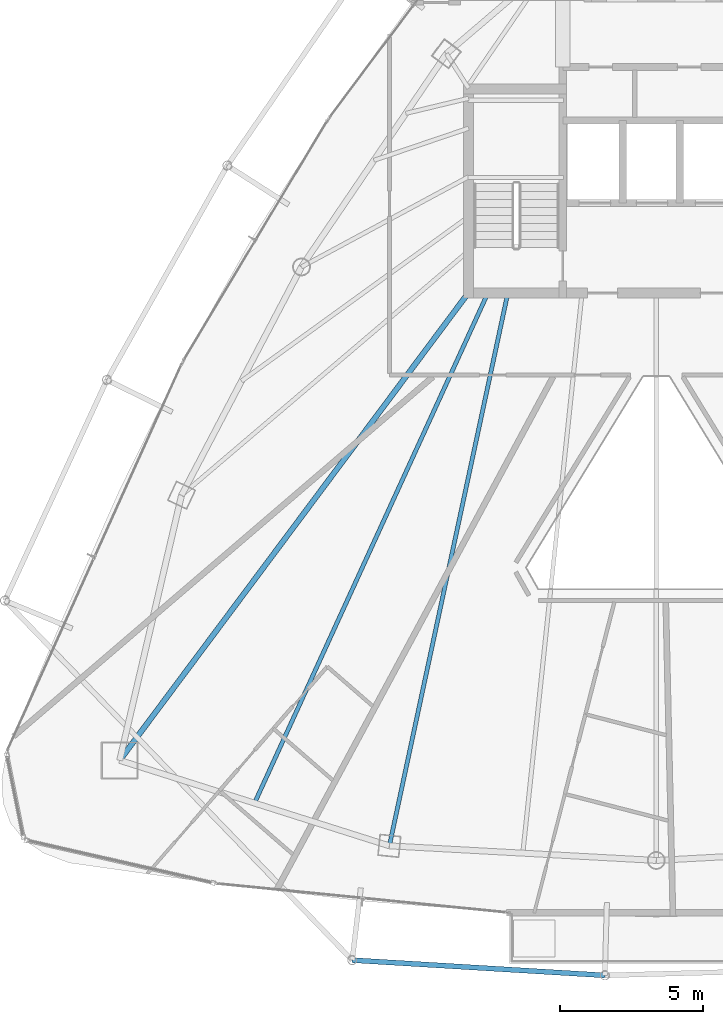
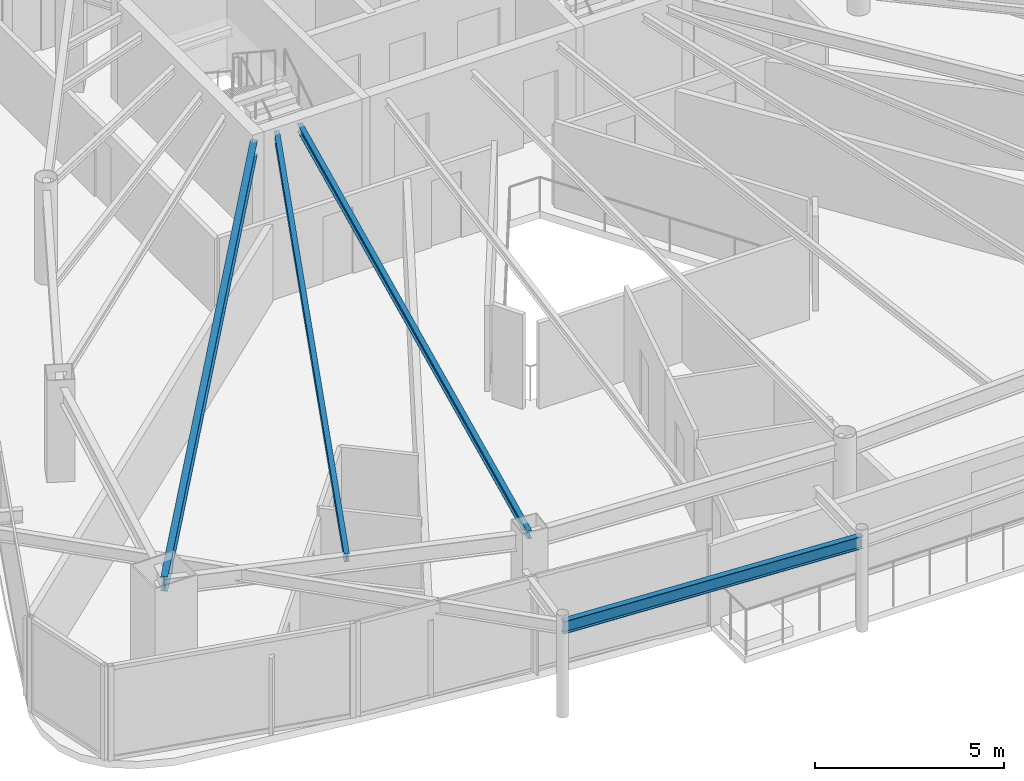
# One storey, part 6 of 30: 4 beams.
"""IFC4 building model written with IfcOpenShell, lengths in metres."""

from ifc_helpers import new_model, si_unit, direction, frame, origin, origin_2d, place, context, subcontext, project, spatial, i_section, extrude, material, material_profile, profile_set, type_object, element, save


model = new_model("IFC4")

# Units and contexts
model_context = context("Model", 3, precision=1e-05, world=origin(), true_north=direction((0.0, 1.0)))
body_context = subcontext(model_context, "Body", "Model", "MODEL_VIEW")
ifc_project = project(units=[si_unit("LENGTHUNIT", "METRE"), si_unit("AREAUNIT", "SQUARE_METRE"), si_unit("VOLUMEUNIT", "CUBIC_METRE"), si_unit("PLANEANGLEUNIT", "RADIAN"), si_unit("MASSUNIT", "GRAM", prefix="KILO")], contexts=[model_context])

# Site, building, storey
site_placement = place(None, origin())
site = spatial("IfcSite", under=ifc_project, at=site_placement, CompositionType="ELEMENT")
building_placement = place(site_placement, origin())
building = spatial("IfcBuilding", under=site, at=building_placement, Name="Orvanel Arch Residences", CompositionType="ELEMENT")
storey_placement = place(building_placement, frame((0.0, 0.0, 229.39990234375)))
storey = spatial("IfcBuildingStorey", under=building, at=storey_placement, Name="L65", CompositionType="ELEMENT", Elevation=229.39990234375)

# Beams
ifc_material = material(Name="Structural steel AS/NZS 3679.1 Grade 300 (300 MPa)", Category="steel")
ifc_material_profile_1 = material_profile(ifc_material, i_section(OverallWidth=0.19091796875, OverallDepth=0.4599609375, WebThickness=0.010009765625, FlangeThickness=0.01611328125, at=origin_2d()), Name="460UB82.1")
ifc_profile_set_1 = profile_set([ifc_material_profile_1], Name="Structural steel AS/NZS 3679.1 Grade 300 (300 MPa)")
beam_type_1 = type_object("IfcBeamType", Name="BG-460UB", PredefinedType="BEAM", material=ifc_profile_set_1)
beam_1_placement = place(storey_placement, frame((26.375, 26.675048828125, 2.830078125), z_axis=(-0.597893733742, -0.801575375839, 0.0), x_axis=(0.801575375839, -0.597893733742, 0.0)))
element("IfcBeam", 1, at=beam_1_placement, inside=storey, type_object=beam_type_1, Name="L65 South-West Radial Girder", PredefinedType="BEAM", context=body_context, shape_type="SweptSolid", body=[
    extrude(i_section(OverallWidth=0.19091796875, OverallDepth=0.4599609375, WebThickness=0.010009765625, FlangeThickness=0.01611328125, at=origin_2d()), origin(), (0.0, 0.0, 1.0), 20.36474609375),
])
ifc_material_profile_2 = material_profile(ifc_material, i_section(OverallWidth=0.14599609375, OverallDepth=0.251953125, WebThickness=0.006103515625, FlangeThickness=0.008544921875, at=origin_2d()), Name="250UB31.4")
ifc_profile_set_2 = profile_set([ifc_material_profile_2], Name="Structural steel AS/NZS 3679.1 Grade 300 (300 MPa)")
beam_type_2 = type_object("IfcBeamType", Name="BJ-250UB", PredefinedType="JOIST", material=ifc_profile_set_2)
beam_2_placement = place(storey_placement, frame((27.800048828125, 26.72509765625, 2.93408203125), z_axis=(-0.209547604985, -0.977798446125, 0.0), x_axis=(0.977798446125, -0.209547604985, 0.0)))
element("IfcBeam", 2, at=beam_2_placement, inside=storey, type_object=beam_type_2, Name="L65 SW Wing Floor Joist", PredefinedType="JOIST", context=body_context, shape_type="SweptSolid", body=[
    extrude(i_section(OverallWidth=0.14599609375, OverallDepth=0.251953125, WebThickness=0.006103515625, FlangeThickness=0.008544921875, at=origin_2d()), origin(), (0.0, 0.0, 1.0), 19.809814453125),
])
beam_3_placement = place(storey_placement, frame((27.10009765625, 26.72509765625, 2.93408203125), z_axis=(-0.416009574066, -0.909360233508, 0.0), x_axis=(0.909360233508, -0.416009574066, 0.0)))
element("IfcBeam", 3, at=beam_3_placement, inside=storey, type_object=beam_type_2, Name="L65 JADD1 Wing Floor Joist", PredefinedType="JOIST", context=body_context, shape_type="SweptSolid", body=[
    extrude(i_section(OverallWidth=0.14599609375, OverallDepth=0.251953125, WebThickness=0.006103515625, FlangeThickness=0.008544921875, at=origin_2d()), origin(), (0.0, 0.0, 1.0), 19.653564453125),
])
ifc_material_profile_3 = material_profile(ifc_material, i_section(OverallWidth=0.177978515625, OverallDepth=0.406005859375, WebThickness=0.0078125, FlangeThickness=0.0126953125, at=origin_2d()), Name="410UB59.7")
ifc_profile_set_3 = profile_set([ifc_material_profile_3], Name="Structural steel AS/NZS 3679.1 Grade 300 (300 MPa)")
beam_type_3 = type_object("IfcBeamType", Name="OB-410UB-EXT", PredefinedType="SPANDREL", material=ifc_profile_set_3)
beam_4_placement = place(storey_placement, frame((22.346923828125, 3.35009765625, 2.857177734375), z_axis=(0.998190795138, -0.060126005201, 0.0), x_axis=(0.060126005201, 0.998190795138, 0.0)))
element("IfcBeam", 4, at=beam_4_placement, inside=storey, type_object=beam_type_3, Name="L65 Outer Perimeter Floor Ring Beam 05", PredefinedType="SPANDREL", context=body_context, shape_type="SweptSolid", body=[
    extrude(i_section(OverallWidth=0.177978515625, OverallDepth=0.406005859375, WebThickness=0.0078125, FlangeThickness=0.0126953125, at=origin_2d()), origin(), (0.0, 0.0, 1.0), 8.8681640625),
])

save(model, "model.ifc")
